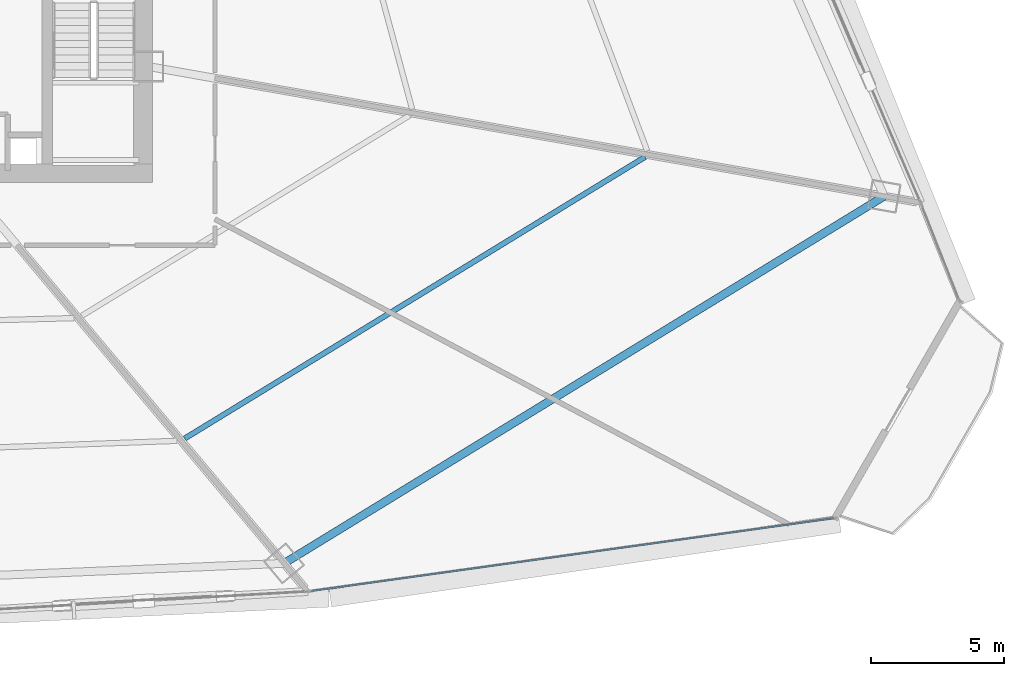
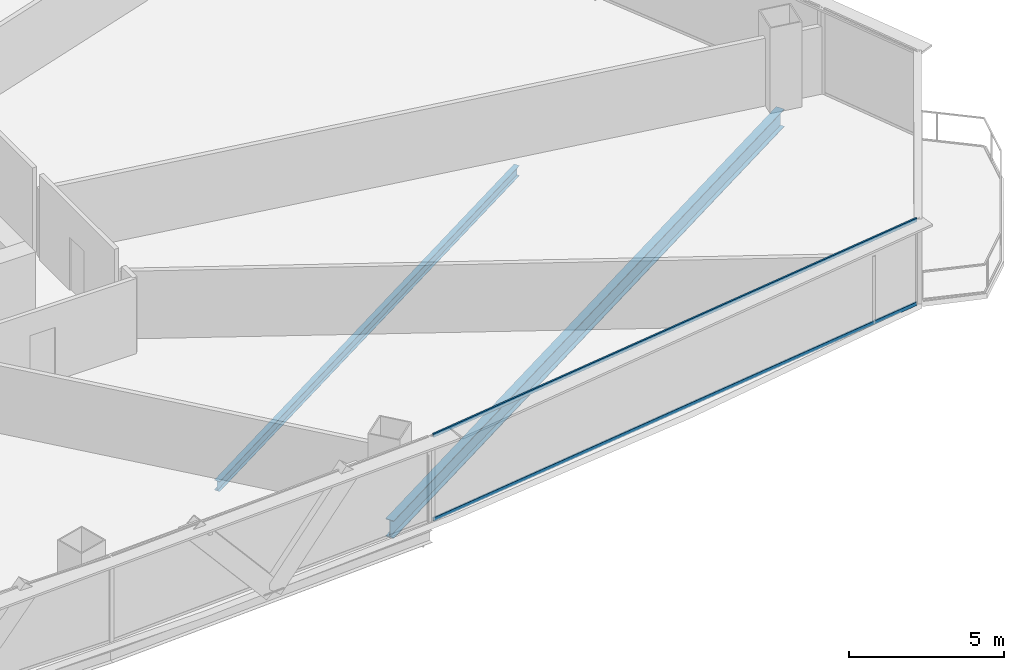
# One storey, part 21 of 37: 2 beams, 2 members, 1 element without a shape of its own.
"""IFC4 building model written with IfcOpenShell, lengths in metres."""

from ifc_helpers import new_model, si_unit, direction, frame, origin, origin_2d, place, context, subcontext, project, spatial, hollow_rectangle, i_section, extrude, source, transform, mapped, material, layer, layer_set, material_profile, profile_set, type_object, element, aggregate, save


model = new_model("IFC4")

# Units and contexts
model_context = context("Model", 3, precision=1e-05, world=origin(), true_north=direction((0.0, 1.0)))
body_context = subcontext(model_context, "Body", "Model", "MODEL_VIEW")
ifc_project = project(units=[si_unit("LENGTHUNIT", "METRE"), si_unit("AREAUNIT", "SQUARE_METRE"), si_unit("VOLUMEUNIT", "CUBIC_METRE"), si_unit("PLANEANGLEUNIT", "RADIAN"), si_unit("MASSUNIT", "GRAM", prefix="KILO"), si_unit("THERMODYNAMICTEMPERATUREUNIT", "KELVIN"), si_unit("POWERUNIT", "WATT")], contexts=[model_context])

# Site, building, storey
site_placement = place(None, origin())
site = spatial("IfcSite", under=ifc_project, at=site_placement, CompositionType="ELEMENT")
building_placement = place(site_placement, origin())
building = spatial("IfcBuilding", under=site, at=building_placement, Name="Yunzhuo Pagoda Commons", CompositionType="ELEMENT")
storey_placement = place(building_placement, frame((0.0, 0.0, 55.81005859375)))
storey = spatial("IfcBuildingStorey", under=building, at=storey_placement, Name="L14", CompositionType="ELEMENT", Elevation=55.81005859375)

# Beams
ifc_material_1 = material(Name="Structural steel Q355B", Category="steel")
ifc_material_profile_1 = material_profile(ifc_material_1, i_section(OverallWidth=0.300048828125, OverallDepth=0.699951171875, WebThickness=0.012939453125, FlangeThickness=0.02392578125, at=origin_2d()), Name="Structural steel Q355B")
ifc_profile_set_1 = profile_set([ifc_material_profile_1], Name="Structural steel Q355B")
beam_type_1 = type_object("IfcBeamType", Name="B-RG1 Beam HN 700x300x13x24", PredefinedType="BEAM", material=ifc_profile_set_1)
shared_shape_1 = source(origin(), body_context, "Body", "SweptSolid", [
    extrude(i_section(OverallWidth=0.300048828125, OverallDepth=0.699951171875, WebThickness=0.012939453125, FlangeThickness=0.02392578125, at=origin_2d()), origin(), (0.0, 0.0, 1.0), 26.432373046875),
])
beam_1_placement = place(storey_placement, frame((65.5, 12.844482421875, -0.610107421875), z_axis=(0.853031728928, 0.521859051318, 0.0), x_axis=(-0.521859051318, 0.853031728928, 0.0)))
element("IfcBeam", 1, at=beam_1_placement, inside=storey, type_object=beam_type_1, Name="L14 column-ring beam 4", PredefinedType="BEAM", context=body_context, shape_type="MappedRepresentation", body=[
    mapped(shared_shape_1, transform((0.0, 0.0, 0.0), scale=1.0)),
])
ifc_material_profile_2 = material_profile(ifc_material_1, i_section(OverallWidth=0.199951171875, OverallDepth=0.39990234375, WebThickness=0.008056640625, FlangeThickness=0.012939453125, at=origin_2d()), Name="Structural steel Q355B")
ifc_profile_set_2 = profile_set([ifc_material_profile_2], Name="Structural steel Q355B")
beam_type_2 = type_object("IfcBeamType", Name="B-JS1 Joist HN 400x200x8x13", PredefinedType="JOIST", material=ifc_profile_set_2)
shared_shape_2 = source(origin(), body_context, "Body", "SweptSolid", [
    extrude(i_section(OverallWidth=0.199951171875, OverallDepth=0.39990234375, WebThickness=0.008056640625, FlangeThickness=0.012939453125, at=origin_2d()), origin(), (0.0, 0.0, 1.0), 20.275634765625),
])
beam_2_placement = place(storey_placement, frame((61.767578125, 17.537109375, -0.4599609375), z_axis=(0.853102898066, 0.521742700295, 0.0), x_axis=(-0.521742700295, 0.853102898066, 0.0)))
element("IfcBeam", 2, at=beam_2_placement, inside=storey, type_object=beam_type_2, Name="L14 composite ring joist 2.4", PredefinedType="JOIST", context=body_context, shape_type="MappedRepresentation", body=[
    mapped(shared_shape_2, transform((0.0, 0.0, 0.0), scale=1.0)),
])

# Curtain wall, members
ifc_material_2 = material(Name="Anodized aluminium 6063-T6", Category="aluminium")
ifc_layer = layer(ifc_material_2, 0.1650390625)
ifc_layer_set = layer_set([ifc_layer], Name="Anodized aluminium 6063-T6")
curtain_wall_type = type_object("IfcCurtainWallType", Name="CW-LOW Low-Zone Ribbon Curtain Wall", PredefinedType="NOTDEFINED", material=ifc_layer_set)
curtain_wall_placement = place(storey_placement, origin())
curtain_wall = element("IfcCurtainWall", 3, at=curtain_wall_placement, inside=storey, type_object=curtain_wall_type, Name="L14 curtain wall CW-L14-F1B5", PredefinedType="NOTDEFINED")
ifc_material_profile_3 = material_profile(ifc_material_2, hollow_rectangle(XDim=0.06005859375, YDim=0.139892578125, WallThickness=0.00341796875, at=origin_2d()), Name="Anodized aluminium 6063-T6")
ifc_profile_set_3 = profile_set([ifc_material_profile_3], Name="Anodized aluminium 6063-T6")
member_type = type_object("IfcMemberType", Name="CW-LOW-T Transom RHS 140x60x3.5", PredefinedType="USERDEFINED", material=ifc_profile_set_3)
shared_shape_3 = source(origin(), body_context, "Body", "SweptSolid", [
    extrude(hollow_rectangle(XDim=0.06005859375, YDim=0.139892578125, WallThickness=0.00341796875, at=origin_2d()), origin(), (0.0, 0.0, 1.0), 19.809814453125),
])
member_1_placement = place(storey_placement, frame((66.5263671875, 11.8056640625, 0.030029296875), z_axis=(0.990445101456, 0.137907581381, 0.0), x_axis=(-0.137907581381, 0.990445101456, 0.0)))
member_1 = element("IfcMember", 4, at=member_1_placement, type_object=member_type, Name="CW transom 1.1", ObjectType="TRANSOM", PredefinedType="USERDEFINED", context=body_context, shape_type="MappedRepresentation", body=[
    mapped(shared_shape_3, transform((0.0, 0.0, 0.0), scale=1.0)),
])
member_2_placement = place(storey_placement, frame((66.5263671875, 11.8056640625, 3.33984375), z_axis=(0.990445101456, 0.137907581381, 0.0), x_axis=(-0.137907581381, 0.990445101456, 0.0)))
member_2 = element("IfcMember", 5, at=member_2_placement, type_object=member_type, Name="CW transom 1.2", ObjectType="TRANSOM", PredefinedType="USERDEFINED", context=body_context, shape_type="MappedRepresentation", body=[
    mapped(shared_shape_3, transform((0.0, 0.0, 0.0), scale=1.0)),
])
aggregate(curtain_wall, [member_1, member_2])

save(model, "model.ifc")
